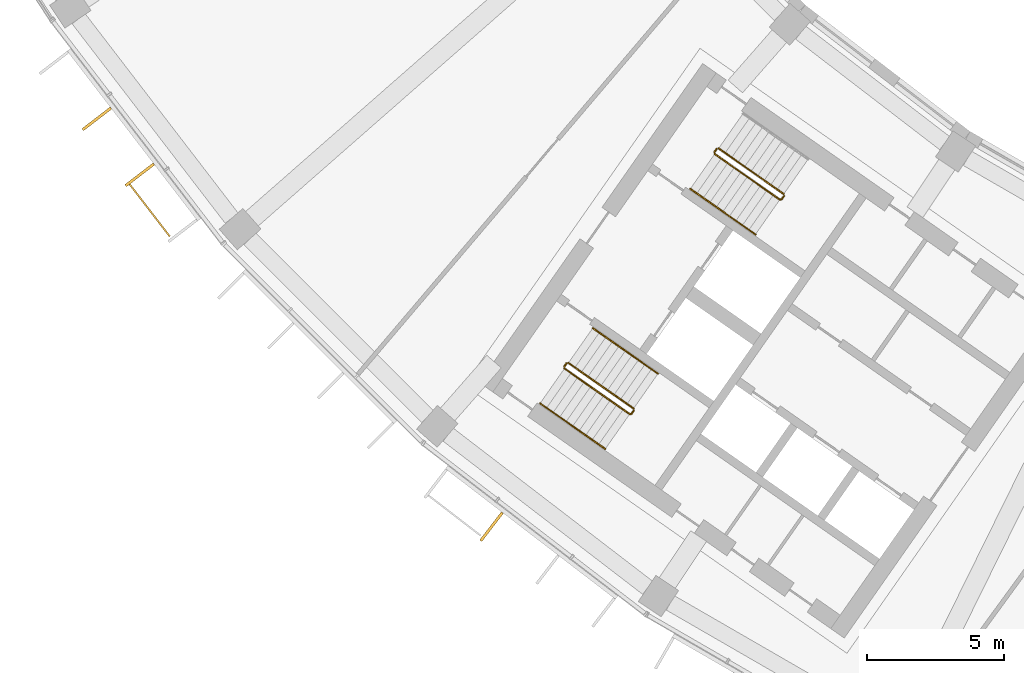
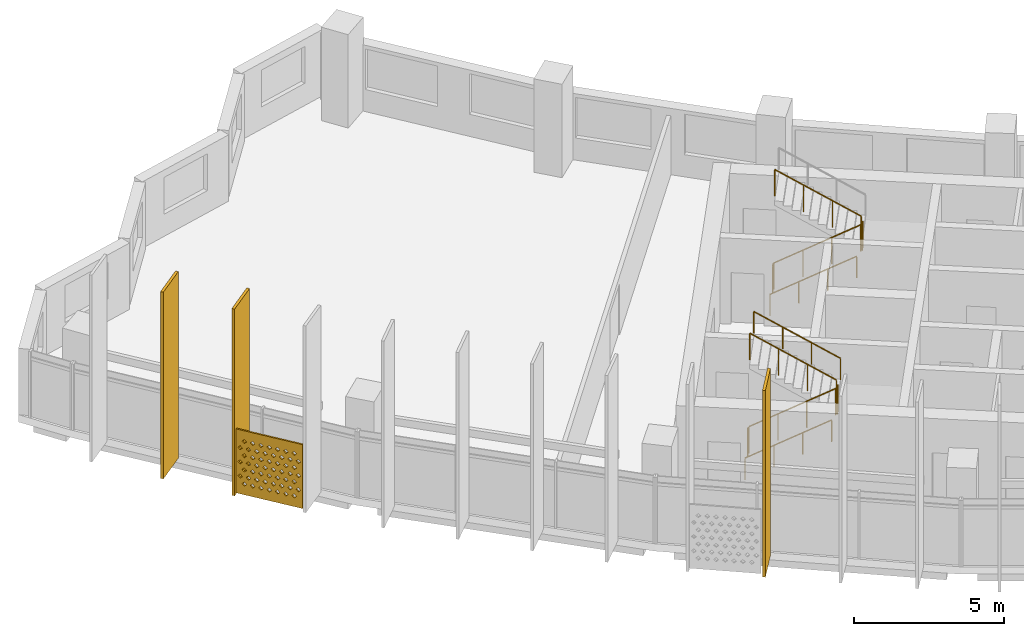
# One storey, part 23 of 27: 9 railings, 4 shading devices.
"""IFC4 building model written with IfcOpenShell, lengths in metres."""

from ifc_helpers import new_model, si_unit, direction, frame, origin, origin_2d, place, context, subcontext, project, spatial, polyline, rectangle, circle, outline, extrude, material, material_profile, profile_set, type_object, element, save


model = new_model("IFC4")

# Units and contexts
model_context = context("Model", 3, precision=1e-05, world=origin(), true_north=direction((0.0, 1.0)))
body_context = subcontext(model_context, "Body", "Model", "MODEL_VIEW")
ifc_project = project(units=[si_unit("LENGTHUNIT", "METRE"), si_unit("AREAUNIT", "SQUARE_METRE"), si_unit("VOLUMEUNIT", "CUBIC_METRE"), si_unit("PLANEANGLEUNIT", "RADIAN"), si_unit("MASSUNIT", "GRAM", prefix="KILO")], contexts=[model_context])

# Site, building, storey
site_placement = place(None, origin())
site = spatial("IfcSite", under=ifc_project, at=site_placement, CompositionType="ELEMENT")
building_placement = place(site_placement, origin())
building = spatial("IfcBuilding", under=site, at=building_placement, Name="Qamariyya Broadcast Tower", CompositionType="ELEMENT")
storey_placement = place(building_placement, frame((0.0, 0.0, 211.300048828125)))
storey = spatial("IfcBuildingStorey", under=building, at=storey_placement, Name="L50", CompositionType="ELEMENT", Elevation=211.300048828125)

# Shading device
ifc_material_1 = material(Name="Perforated glazed terracotta", Category="masonry")
ifc_material_profile_1 = material_profile(ifc_material_1, outline(polyline([(-1.199951171875, -1.300048828125), (1.199951171875, -1.300048828125), (1.199951171875, 1.300048828125), (-1.199951171875, 1.300048828125), (-1.199951171875, -1.300048828125)]), holes=[polyline([(-0.81494140625, -0.86669921875), (-0.89990234375, -0.78173828125), (-0.985107421875, -0.86669921875), (-0.89990234375, -0.95166015625), (-0.81494140625, -0.86669921875)]), polyline([(-0.514892578125, -0.86669921875), (-0.60009765625, -0.78173828125), (-0.68505859375, -0.86669921875), (-0.60009765625, -0.95166015625), (-0.514892578125, -0.86669921875)]), polyline([(-0.215087890625, -0.86669921875), (-0.300048828125, -0.78173828125), (-0.385009765625, -0.86669921875), (-0.300048828125, -0.95166015625), (-0.215087890625, -0.86669921875)]), polyline([(0.0849609375, -0.86669921875), (0.0, -0.78173828125), (-0.0849609375, -0.86669921875), (0.0, -0.95166015625), (0.0849609375, -0.86669921875)]), polyline([(0.385009765625, -0.86669921875), (0.300048828125, -0.78173828125), (0.215087890625, -0.86669921875), (0.300048828125, -0.95166015625), (0.385009765625, -0.86669921875)]), polyline([(0.68505859375, -0.86669921875), (0.60009765625, -0.78173828125), (0.514892578125, -0.86669921875), (0.60009765625, -0.95166015625), (0.68505859375, -0.86669921875)]), polyline([(0.985107421875, -0.86669921875), (0.89990234375, -0.78173828125), (0.81494140625, -0.86669921875), (0.89990234375, -0.95166015625), (0.985107421875, -0.86669921875)]), polyline([(-0.965087890625, -0.577880859375), (-1.050048828125, -0.49267578125), (-1.135009765625, -0.577880859375), (-1.050048828125, -0.662841796875), (-0.965087890625, -0.577880859375)]), polyline([(-0.6650390625, -0.577880859375), (-0.75, -0.49267578125), (-0.8349609375, -0.577880859375), (-0.75, -0.662841796875), (-0.6650390625, -0.577880859375)]), polyline([(-0.364990234375, -0.577880859375), (-0.449951171875, -0.49267578125), (-0.534912109375, -0.577880859375), (-0.449951171875, -0.662841796875), (-0.364990234375, -0.577880859375)]), polyline([(-0.06494140625, -0.577880859375), (-0.14990234375, -0.49267578125), (-0.235107421875, -0.577880859375), (-0.14990234375, -0.662841796875), (-0.06494140625, -0.577880859375)]), polyline([(0.235107421875, -0.577880859375), (0.14990234375, -0.49267578125), (0.06494140625, -0.577880859375), (0.14990234375, -0.662841796875), (0.235107421875, -0.577880859375)]), polyline([(0.534912109375, -0.577880859375), (0.449951171875, -0.49267578125), (0.364990234375, -0.577880859375), (0.449951171875, -0.662841796875), (0.534912109375, -0.577880859375)]), polyline([(0.8349609375, -0.577880859375), (0.75, -0.49267578125), (0.6650390625, -0.577880859375), (0.75, -0.662841796875), (0.8349609375, -0.577880859375)]), polyline([(1.135009765625, -0.577880859375), (1.050048828125, -0.49267578125), (0.965087890625, -0.577880859375), (1.050048828125, -0.662841796875), (1.135009765625, -0.577880859375)]), polyline([(-0.81494140625, -0.288818359375), (-0.89990234375, -0.203857421875), (-0.985107421875, -0.288818359375), (-0.89990234375, -0.373779296875), (-0.81494140625, -0.288818359375)]), polyline([(-0.514892578125, -0.288818359375), (-0.60009765625, -0.203857421875), (-0.68505859375, -0.288818359375), (-0.60009765625, -0.373779296875), (-0.514892578125, -0.288818359375)]), polyline([(-0.215087890625, -0.288818359375), (-0.300048828125, -0.203857421875), (-0.385009765625, -0.288818359375), (-0.300048828125, -0.373779296875), (-0.215087890625, -0.288818359375)]), polyline([(0.0849609375, -0.288818359375), (0.0, -0.203857421875), (-0.0849609375, -0.288818359375), (0.0, -0.373779296875), (0.0849609375, -0.288818359375)]), polyline([(0.385009765625, -0.288818359375), (0.300048828125, -0.203857421875), (0.215087890625, -0.288818359375), (0.300048828125, -0.373779296875), (0.385009765625, -0.288818359375)]), polyline([(0.68505859375, -0.288818359375), (0.60009765625, -0.203857421875), (0.514892578125, -0.288818359375), (0.60009765625, -0.373779296875), (0.68505859375, -0.288818359375)]), polyline([(0.985107421875, -0.288818359375), (0.89990234375, -0.203857421875), (0.81494140625, -0.288818359375), (0.89990234375, -0.373779296875), (0.985107421875, -0.288818359375)]), polyline([(-0.965087890625, 0.0), (-1.050048828125, 0.0849609375), (-1.135009765625, 0.0), (-1.050048828125, -0.0849609375), (-0.965087890625, 0.0)]), polyline([(-0.6650390625, 0.0), (-0.75, 0.0849609375), (-0.8349609375, 0.0), (-0.75, -0.0849609375), (-0.6650390625, 0.0)]), polyline([(-0.364990234375, 0.0), (-0.449951171875, 0.0849609375), (-0.534912109375, 0.0), (-0.449951171875, -0.0849609375), (-0.364990234375, 0.0)]), polyline([(-0.06494140625, 0.0), (-0.14990234375, 0.0849609375), (-0.235107421875, 0.0), (-0.14990234375, -0.0849609375), (-0.06494140625, 0.0)]), polyline([(0.235107421875, 0.0), (0.14990234375, 0.0849609375), (0.06494140625, 0.0), (0.14990234375, -0.0849609375), (0.235107421875, 0.0)]), polyline([(0.534912109375, 0.0), (0.449951171875, 0.0849609375), (0.364990234375, 0.0), (0.449951171875, -0.0849609375), (0.534912109375, 0.0)]), polyline([(0.8349609375, 0.0), (0.75, 0.0849609375), (0.6650390625, 0.0), (0.75, -0.0849609375), (0.8349609375, 0.0)]), polyline([(1.135009765625, 0.0), (1.050048828125, 0.0849609375), (0.965087890625, 0.0), (1.050048828125, -0.0849609375), (1.135009765625, 0.0)]), polyline([(-0.81494140625, 0.288818359375), (-0.89990234375, 0.373779296875), (-0.985107421875, 0.288818359375), (-0.89990234375, 0.203857421875), (-0.81494140625, 0.288818359375)]), polyline([(-0.514892578125, 0.288818359375), (-0.60009765625, 0.373779296875), (-0.68505859375, 0.288818359375), (-0.60009765625, 0.203857421875), (-0.514892578125, 0.288818359375)]), polyline([(-0.215087890625, 0.288818359375), (-0.300048828125, 0.373779296875), (-0.385009765625, 0.288818359375), (-0.300048828125, 0.203857421875), (-0.215087890625, 0.288818359375)]), polyline([(0.0849609375, 0.288818359375), (0.0, 0.373779296875), (-0.0849609375, 0.288818359375), (0.0, 0.203857421875), (0.0849609375, 0.288818359375)]), polyline([(0.385009765625, 0.288818359375), (0.300048828125, 0.373779296875), (0.215087890625, 0.288818359375), (0.300048828125, 0.203857421875), (0.385009765625, 0.288818359375)]), polyline([(0.68505859375, 0.288818359375), (0.60009765625, 0.373779296875), (0.514892578125, 0.288818359375), (0.60009765625, 0.203857421875), (0.68505859375, 0.288818359375)]), polyline([(0.985107421875, 0.288818359375), (0.89990234375, 0.373779296875), (0.81494140625, 0.288818359375), (0.89990234375, 0.203857421875), (0.985107421875, 0.288818359375)]), polyline([(-0.965087890625, 0.577880859375), (-1.050048828125, 0.662841796875), (-1.135009765625, 0.577880859375), (-1.050048828125, 0.49267578125), (-0.965087890625, 0.577880859375)]), polyline([(-0.6650390625, 0.577880859375), (-0.75, 0.662841796875), (-0.8349609375, 0.577880859375), (-0.75, 0.49267578125), (-0.6650390625, 0.577880859375)]), polyline([(-0.364990234375, 0.577880859375), (-0.449951171875, 0.662841796875), (-0.534912109375, 0.577880859375), (-0.449951171875, 0.49267578125), (-0.364990234375, 0.577880859375)]), polyline([(-0.06494140625, 0.577880859375), (-0.14990234375, 0.662841796875), (-0.235107421875, 0.577880859375), (-0.14990234375, 0.49267578125), (-0.06494140625, 0.577880859375)]), polyline([(0.235107421875, 0.577880859375), (0.14990234375, 0.662841796875), (0.06494140625, 0.577880859375), (0.14990234375, 0.49267578125), (0.235107421875, 0.577880859375)]), polyline([(0.534912109375, 0.577880859375), (0.449951171875, 0.662841796875), (0.364990234375, 0.577880859375), (0.449951171875, 0.49267578125), (0.534912109375, 0.577880859375)]), polyline([(0.8349609375, 0.577880859375), (0.75, 0.662841796875), (0.6650390625, 0.577880859375), (0.75, 0.49267578125), (0.8349609375, 0.577880859375)]), polyline([(1.135009765625, 0.577880859375), (1.050048828125, 0.662841796875), (0.965087890625, 0.577880859375), (1.050048828125, 0.49267578125), (1.135009765625, 0.577880859375)]), polyline([(-0.81494140625, 0.86669921875), (-0.89990234375, 0.95166015625), (-0.985107421875, 0.86669921875), (-0.89990234375, 0.78173828125), (-0.81494140625, 0.86669921875)]), polyline([(-0.514892578125, 0.86669921875), (-0.60009765625, 0.95166015625), (-0.68505859375, 0.86669921875), (-0.60009765625, 0.78173828125), (-0.514892578125, 0.86669921875)]), polyline([(-0.215087890625, 0.86669921875), (-0.300048828125, 0.95166015625), (-0.385009765625, 0.86669921875), (-0.300048828125, 0.78173828125), (-0.215087890625, 0.86669921875)]), polyline([(0.0849609375, 0.86669921875), (0.0, 0.95166015625), (-0.0849609375, 0.86669921875), (0.0, 0.78173828125), (0.0849609375, 0.86669921875)]), polyline([(0.385009765625, 0.86669921875), (0.300048828125, 0.95166015625), (0.215087890625, 0.86669921875), (0.300048828125, 0.78173828125), (0.385009765625, 0.86669921875)]), polyline([(0.68505859375, 0.86669921875), (0.60009765625, 0.95166015625), (0.514892578125, 0.86669921875), (0.60009765625, 0.78173828125), (0.68505859375, 0.86669921875)]), polyline([(0.985107421875, 0.86669921875), (0.89990234375, 0.95166015625), (0.81494140625, 0.86669921875), (0.89990234375, 0.78173828125), (0.985107421875, 0.86669921875)])]))
ifc_profile_set_1 = profile_set([ifc_material_profile_1], Name="Perforated glazed terracotta")
shading_device_type_1 = type_object("IfcShadingDeviceType", Name="Perforated terracotta screen 2400 x 2600", PredefinedType="USERDEFINED", material=ifc_profile_set_1)
shading_device_placement = place(storey_placement, frame((-61.727294921875, -50.5615234375, 1.349853515625), z_axis=(-0.792623989105, -0.60971076085, 0.0), x_axis=(0.60971076085, -0.792623989105, 0.0)))
element("IfcShadingDevice", 1, at=shading_device_placement, inside=storey, type_object=shading_device_type_1, Name="e-scr-L50-01-2", ObjectType="SCREEN", PredefinedType="USERDEFINED", context=body_context, shape_type="SweptSolid", body=[
    extrude(outline(polyline([(-1.199951171875, -1.300048828125), (1.199951171875, -1.300048828125), (1.199951171875, 1.300048828125), (-1.199951171875, 1.300048828125), (-1.199951171875, -1.300048828125)]), holes=[polyline([(-0.81494140625, -0.86669921875), (-0.89990234375, -0.78173828125), (-0.985107421875, -0.86669921875), (-0.89990234375, -0.95166015625), (-0.81494140625, -0.86669921875)]), polyline([(-0.514892578125, -0.86669921875), (-0.60009765625, -0.78173828125), (-0.68505859375, -0.86669921875), (-0.60009765625, -0.95166015625), (-0.514892578125, -0.86669921875)]), polyline([(-0.215087890625, -0.86669921875), (-0.300048828125, -0.78173828125), (-0.385009765625, -0.86669921875), (-0.300048828125, -0.95166015625), (-0.215087890625, -0.86669921875)]), polyline([(0.0849609375, -0.86669921875), (0.0, -0.78173828125), (-0.0849609375, -0.86669921875), (0.0, -0.95166015625), (0.0849609375, -0.86669921875)]), polyline([(0.385009765625, -0.86669921875), (0.300048828125, -0.78173828125), (0.215087890625, -0.86669921875), (0.300048828125, -0.95166015625), (0.385009765625, -0.86669921875)]), polyline([(0.68505859375, -0.86669921875), (0.60009765625, -0.78173828125), (0.514892578125, -0.86669921875), (0.60009765625, -0.95166015625), (0.68505859375, -0.86669921875)]), polyline([(0.985107421875, -0.86669921875), (0.89990234375, -0.78173828125), (0.81494140625, -0.86669921875), (0.89990234375, -0.95166015625), (0.985107421875, -0.86669921875)]), polyline([(-0.965087890625, -0.577880859375), (-1.050048828125, -0.49267578125), (-1.135009765625, -0.577880859375), (-1.050048828125, -0.662841796875), (-0.965087890625, -0.577880859375)]), polyline([(-0.6650390625, -0.577880859375), (-0.75, -0.49267578125), (-0.8349609375, -0.577880859375), (-0.75, -0.662841796875), (-0.6650390625, -0.577880859375)]), polyline([(-0.364990234375, -0.577880859375), (-0.449951171875, -0.49267578125), (-0.534912109375, -0.577880859375), (-0.449951171875, -0.662841796875), (-0.364990234375, -0.577880859375)]), polyline([(-0.06494140625, -0.577880859375), (-0.14990234375, -0.49267578125), (-0.235107421875, -0.577880859375), (-0.14990234375, -0.662841796875), (-0.06494140625, -0.577880859375)]), polyline([(0.235107421875, -0.577880859375), (0.14990234375, -0.49267578125), (0.06494140625, -0.577880859375), (0.14990234375, -0.662841796875), (0.235107421875, -0.577880859375)]), polyline([(0.534912109375, -0.577880859375), (0.449951171875, -0.49267578125), (0.364990234375, -0.577880859375), (0.449951171875, -0.662841796875), (0.534912109375, -0.577880859375)]), polyline([(0.8349609375, -0.577880859375), (0.75, -0.49267578125), (0.6650390625, -0.577880859375), (0.75, -0.662841796875), (0.8349609375, -0.577880859375)]), polyline([(1.135009765625, -0.577880859375), (1.050048828125, -0.49267578125), (0.965087890625, -0.577880859375), (1.050048828125, -0.662841796875), (1.135009765625, -0.577880859375)]), polyline([(-0.81494140625, -0.288818359375), (-0.89990234375, -0.203857421875), (-0.985107421875, -0.288818359375), (-0.89990234375, -0.373779296875), (-0.81494140625, -0.288818359375)]), polyline([(-0.514892578125, -0.288818359375), (-0.60009765625, -0.203857421875), (-0.68505859375, -0.288818359375), (-0.60009765625, -0.373779296875), (-0.514892578125, -0.288818359375)]), polyline([(-0.215087890625, -0.288818359375), (-0.300048828125, -0.203857421875), (-0.385009765625, -0.288818359375), (-0.300048828125, -0.373779296875), (-0.215087890625, -0.288818359375)]), polyline([(0.0849609375, -0.288818359375), (0.0, -0.203857421875), (-0.0849609375, -0.288818359375), (0.0, -0.373779296875), (0.0849609375, -0.288818359375)]), polyline([(0.385009765625, -0.288818359375), (0.300048828125, -0.203857421875), (0.215087890625, -0.288818359375), (0.300048828125, -0.373779296875), (0.385009765625, -0.288818359375)]), polyline([(0.68505859375, -0.288818359375), (0.60009765625, -0.203857421875), (0.514892578125, -0.288818359375), (0.60009765625, -0.373779296875), (0.68505859375, -0.288818359375)]), polyline([(0.985107421875, -0.288818359375), (0.89990234375, -0.203857421875), (0.81494140625, -0.288818359375), (0.89990234375, -0.373779296875), (0.985107421875, -0.288818359375)]), polyline([(-0.965087890625, 0.0), (-1.050048828125, 0.0849609375), (-1.135009765625, 0.0), (-1.050048828125, -0.0849609375), (-0.965087890625, 0.0)]), polyline([(-0.6650390625, 0.0), (-0.75, 0.0849609375), (-0.8349609375, 0.0), (-0.75, -0.0849609375), (-0.6650390625, 0.0)]), polyline([(-0.364990234375, 0.0), (-0.449951171875, 0.0849609375), (-0.534912109375, 0.0), (-0.449951171875, -0.0849609375), (-0.364990234375, 0.0)]), polyline([(-0.06494140625, 0.0), (-0.14990234375, 0.0849609375), (-0.235107421875, 0.0), (-0.14990234375, -0.0849609375), (-0.06494140625, 0.0)]), polyline([(0.235107421875, 0.0), (0.14990234375, 0.0849609375), (0.06494140625, 0.0), (0.14990234375, -0.0849609375), (0.235107421875, 0.0)]), polyline([(0.534912109375, 0.0), (0.449951171875, 0.0849609375), (0.364990234375, 0.0), (0.449951171875, -0.0849609375), (0.534912109375, 0.0)]), polyline([(0.8349609375, 0.0), (0.75, 0.0849609375), (0.6650390625, 0.0), (0.75, -0.0849609375), (0.8349609375, 0.0)]), polyline([(1.135009765625, 0.0), (1.050048828125, 0.0849609375), (0.965087890625, 0.0), (1.050048828125, -0.0849609375), (1.135009765625, 0.0)]), polyline([(-0.81494140625, 0.288818359375), (-0.89990234375, 0.373779296875), (-0.985107421875, 0.288818359375), (-0.89990234375, 0.203857421875), (-0.81494140625, 0.288818359375)]), polyline([(-0.514892578125, 0.288818359375), (-0.60009765625, 0.373779296875), (-0.68505859375, 0.288818359375), (-0.60009765625, 0.203857421875), (-0.514892578125, 0.288818359375)]), polyline([(-0.215087890625, 0.288818359375), (-0.300048828125, 0.373779296875), (-0.385009765625, 0.288818359375), (-0.300048828125, 0.203857421875), (-0.215087890625, 0.288818359375)]), polyline([(0.0849609375, 0.288818359375), (0.0, 0.373779296875), (-0.0849609375, 0.288818359375), (0.0, 0.203857421875), (0.0849609375, 0.288818359375)]), polyline([(0.385009765625, 0.288818359375), (0.300048828125, 0.373779296875), (0.215087890625, 0.288818359375), (0.300048828125, 0.203857421875), (0.385009765625, 0.288818359375)]), polyline([(0.68505859375, 0.288818359375), (0.60009765625, 0.373779296875), (0.514892578125, 0.288818359375), (0.60009765625, 0.203857421875), (0.68505859375, 0.288818359375)]), polyline([(0.985107421875, 0.288818359375), (0.89990234375, 0.373779296875), (0.81494140625, 0.288818359375), (0.89990234375, 0.203857421875), (0.985107421875, 0.288818359375)]), polyline([(-0.965087890625, 0.577880859375), (-1.050048828125, 0.662841796875), (-1.135009765625, 0.577880859375), (-1.050048828125, 0.49267578125), (-0.965087890625, 0.577880859375)]), polyline([(-0.6650390625, 0.577880859375), (-0.75, 0.662841796875), (-0.8349609375, 0.577880859375), (-0.75, 0.49267578125), (-0.6650390625, 0.577880859375)]), polyline([(-0.364990234375, 0.577880859375), (-0.449951171875, 0.662841796875), (-0.534912109375, 0.577880859375), (-0.449951171875, 0.49267578125), (-0.364990234375, 0.577880859375)]), polyline([(-0.06494140625, 0.577880859375), (-0.14990234375, 0.662841796875), (-0.235107421875, 0.577880859375), (-0.14990234375, 0.49267578125), (-0.06494140625, 0.577880859375)]), polyline([(0.235107421875, 0.577880859375), (0.14990234375, 0.662841796875), (0.06494140625, 0.577880859375), (0.14990234375, 0.49267578125), (0.235107421875, 0.577880859375)]), polyline([(0.534912109375, 0.577880859375), (0.449951171875, 0.662841796875), (0.364990234375, 0.577880859375), (0.449951171875, 0.49267578125), (0.534912109375, 0.577880859375)]), polyline([(0.8349609375, 0.577880859375), (0.75, 0.662841796875), (0.6650390625, 0.577880859375), (0.75, 0.49267578125), (0.8349609375, 0.577880859375)]), polyline([(1.135009765625, 0.577880859375), (1.050048828125, 0.662841796875), (0.965087890625, 0.577880859375), (1.050048828125, 0.49267578125), (1.135009765625, 0.577880859375)]), polyline([(-0.81494140625, 0.86669921875), (-0.89990234375, 0.95166015625), (-0.985107421875, 0.86669921875), (-0.89990234375, 0.78173828125), (-0.81494140625, 0.86669921875)]), polyline([(-0.514892578125, 0.86669921875), (-0.60009765625, 0.95166015625), (-0.68505859375, 0.86669921875), (-0.60009765625, 0.78173828125), (-0.514892578125, 0.86669921875)]), polyline([(-0.215087890625, 0.86669921875), (-0.300048828125, 0.95166015625), (-0.385009765625, 0.86669921875), (-0.300048828125, 0.78173828125), (-0.215087890625, 0.86669921875)]), polyline([(0.0849609375, 0.86669921875), (0.0, 0.95166015625), (-0.0849609375, 0.86669921875), (0.0, 0.78173828125), (0.0849609375, 0.86669921875)]), polyline([(0.385009765625, 0.86669921875), (0.300048828125, 0.95166015625), (0.215087890625, 0.86669921875), (0.300048828125, 0.78173828125), (0.385009765625, 0.86669921875)]), polyline([(0.68505859375, 0.86669921875), (0.60009765625, 0.95166015625), (0.514892578125, 0.86669921875), (0.60009765625, 0.78173828125), (0.68505859375, 0.86669921875)]), polyline([(0.985107421875, 0.86669921875), (0.89990234375, 0.95166015625), (0.81494140625, 0.86669921875), (0.89990234375, 0.78173828125), (0.985107421875, 0.86669921875)])]), origin(), (0.0, 0.0, 1.0), 0.06005859375),
])

# Railings
ifc_material_2 = material(Name="Painted steel", Category="steel")
railing_type_1 = type_object("IfcRailingType", Name="Stair guard", PredefinedType="GUARDRAIL", material=ifc_material_2)
railing_1_placement = place(storey_placement, frame((-41.146728515625, -48.52490234375, 0.172607421875)))
element("IfcRailing", 2, at=railing_1_placement, inside=storey, type_object=railing_type_1, Name="L50 ST-W2 stair guard 1", PredefinedType="GUARDRAIL", context=body_context, shape_type="SweptSolid", body=[
    extrude(circle(Radius=0.02392578125, at=origin_2d()), frame((0.0, 0.0, 1.076171875), z_axis=(0.703770094002, -0.492783725636, 0.511734163933), x_axis=(0.573575343427, 0.819152809562, 0.0)), (0.0, 0.0, 1.0), 3.37548828125),
    extrude(circle(Radius=0.02392578125, at=origin_2d()), frame((2.37548828125, -1.663330078125, 2.80322265625), z_axis=(0.985059694769, 0.172213233351, 0.0), x_axis=(-0.172213233351, 0.985059694769, 0.0)), (0.0, 0.0, 1.0), 0.07080078125),
    extrude(circle(Radius=0.02392578125, at=origin_2d()), frame((2.4453125, -1.651123046875, 2.80322265625), z_axis=(0.572588637393, 0.819842821722, 0.0), x_axis=(-0.819842821722, 0.572588637393, 0.0)), (0.0, 0.0, 1.0), 0.150146484375),
    extrude(circle(Radius=0.02099609375, at=origin_2d()), origin(), (0.0, 0.0, 1.0), 1.052001953125),
    extrude(circle(Radius=0.02099609375, at=origin_2d()), frame((0.791748046875, -0.554443359375, 0.57568359375)), (0.0, 0.0, 1.0), 1.052001953125),
    extrude(circle(Radius=0.02099609375, at=origin_2d()), frame((1.583740234375, -1.10888671875, 1.151611328125)), (0.0, 0.0, 1.0), 1.052001953125),
    extrude(circle(Radius=0.02099609375, at=origin_2d()), frame((2.37548828125, -1.663330078125, 1.727294921875)), (0.0, 0.0, 1.0), 1.052001953125),
    extrude(circle(Radius=0.02099609375, at=origin_2d()), frame((2.4453125, -1.651123046875, 1.727294921875)), (0.0, 0.0, 1.0), 1.052001953125),
    extrude(circle(Radius=0.02099609375, at=origin_2d()), frame((2.53125, -1.528076171875, 1.727294921875)), (0.0, 0.0, 1.0), 1.052001953125),
])
railing_2_placement = place(storey_placement, frame((-38.627685546875, -49.9833984375, 2.07275390625)))
element("IfcRailing", 3, at=railing_2_placement, inside=storey, type_object=railing_type_1, Name="L50 ST-W2 stair guard 2", PredefinedType="GUARDRAIL", context=body_context, shape_type="SweptSolid", body=[
    extrude(circle(Radius=0.02392578125, at=origin_2d()), frame((0.0, 0.0, 1.076171875), z_axis=(-0.703770094002, 0.492783725636, 0.511734163933), x_axis=(-0.573575343427, -0.819152809562, 0.0)), (0.0, 0.0, 1.0), 3.37548828125),
    extrude(circle(Radius=0.02099609375, at=origin_2d()), origin(), (0.0, 0.0, 1.0), 1.052001953125),
    extrude(circle(Radius=0.02099609375, at=origin_2d()), frame((-0.791748046875, 0.554443359375, 0.57568359375)), (0.0, 0.0, 1.0), 1.052001953125),
    extrude(circle(Radius=0.02099609375, at=origin_2d()), frame((-1.583740234375, 1.10888671875, 1.151611328125)), (0.0, 0.0, 1.0), 1.052001953125),
    extrude(circle(Radius=0.02099609375, at=origin_2d()), frame((-2.37548828125, 1.663330078125, 1.727294921875)), (0.0, 0.0, 1.0), 1.052001953125),
])
railing_3_placement = place(storey_placement, frame((-41.158935546875, -48.455322265625, 0.0)))
element("IfcRailing", 4, at=railing_3_placement, inside=storey, type_object=railing_type_1, Name="L50 ST-W2 stair guard 3", PredefinedType="GUARDRAIL", context=body_context, shape_type="SweptSolid", body=[
    extrude(circle(Radius=0.02392578125, at=origin_2d()), frame((0.0, 0.0, 1.076171875), z_axis=(0.572588637393, 0.819842821722, 0.0), x_axis=(-0.819842821722, 0.572588637393, 0.0)), (0.0, 0.0, 1.0), 0.150146484375),
    extrude(circle(Radius=0.02099609375, at=origin_2d()), origin(), (0.0, 0.0, 1.0), 1.052001953125),
    extrude(circle(Radius=0.02099609375, at=origin_2d()), frame((0.0859375, 0.123046875, 0.0)), (0.0, 0.0, 1.0), 1.052001953125),
])
railing_4_placement = place(storey_placement, frame((-46.624267578125, -56.34765625, 0.172607421875)))
element("IfcRailing", 5, at=railing_4_placement, inside=storey, type_object=railing_type_1, Name="L50 ST-W1 stair guard 1", PredefinedType="GUARDRAIL", context=body_context, shape_type="SweptSolid", body=[
    extrude(circle(Radius=0.02392578125, at=origin_2d()), frame((0.0, 0.0, 1.076171875), z_axis=(0.703745009021, -0.492838488332, 0.511715923826), x_axis=(0.573631830683, 0.819113253969, 0.0)), (0.0, 0.0, 1.0), 3.37548828125),
    extrude(circle(Radius=0.02392578125, at=origin_2d()), frame((2.37548828125, -1.66357421875, 2.80322265625), z_axis=(0.984363469884, 0.176149252506, 0.0), x_axis=(-0.176149252506, 0.984363469884, 0.0)), (0.0, 0.0, 1.0), 0.07080078125),
    extrude(circle(Radius=0.02392578125, at=origin_2d()), frame((2.445068359375, -1.651123046875, 2.80322265625), z_axis=(0.574444878118, 0.818543268254, 0.0), x_axis=(-0.818543268254, 0.574444878118, 0.0)), (0.0, 0.0, 1.0), 0.150146484375),
    extrude(circle(Radius=0.02099609375, at=origin_2d()), origin(), (0.0, 0.0, 1.0), 1.052001953125),
    extrude(circle(Radius=0.02099609375, at=origin_2d()), frame((0.791748046875, -0.554443359375, 0.57568359375)), (0.0, 0.0, 1.0), 1.052001953125),
    extrude(circle(Radius=0.02099609375, at=origin_2d()), frame((1.583740234375, -1.109130859375, 1.151611328125)), (0.0, 0.0, 1.0), 1.052001953125),
    extrude(circle(Radius=0.02099609375, at=origin_2d()), frame((2.37548828125, -1.66357421875, 1.727294921875)), (0.0, 0.0, 1.0), 1.052001953125),
    extrude(circle(Radius=0.02099609375, at=origin_2d()), frame((2.445068359375, -1.651123046875, 1.727294921875)), (0.0, 0.0, 1.0), 1.052001953125),
    extrude(circle(Radius=0.02099609375, at=origin_2d()), frame((2.53125, -1.5283203125, 1.727294921875)), (0.0, 0.0, 1.0), 1.052001953125),
])
railing_5_placement = place(storey_placement, frame((-44.10546875, -57.806396484375, 2.07275390625)))
element("IfcRailing", 6, at=railing_5_placement, inside=storey, type_object=railing_type_1, Name="L50 ST-W1 stair guard 2", PredefinedType="GUARDRAIL", context=body_context, shape_type="SweptSolid", body=[
    extrude(circle(Radius=0.02392578125, at=origin_2d()), frame((0.0, 0.0, 1.076171875), z_axis=(-0.703770094002, 0.492783725636, 0.511734163933), x_axis=(-0.573575343427, -0.819152809562, 0.0)), (0.0, 0.0, 1.0), 3.37548828125),
    extrude(circle(Radius=0.02099609375, at=origin_2d()), origin(), (0.0, 0.0, 1.0), 1.052001953125),
    extrude(circle(Radius=0.02099609375, at=origin_2d()), frame((-0.791748046875, 0.554443359375, 0.57568359375)), (0.0, 0.0, 1.0), 1.052001953125),
    extrude(circle(Radius=0.02099609375, at=origin_2d()), frame((-1.583740234375, 1.10888671875, 1.151611328125)), (0.0, 0.0, 1.0), 1.052001953125),
    extrude(circle(Radius=0.02099609375, at=origin_2d()), frame((-2.37548828125, 1.663330078125, 1.727294921875)), (0.0, 0.0, 1.0), 1.052001953125),
])
railing_6_placement = place(storey_placement, frame((-46.63671875, -56.278076171875, 0.0)))
element("IfcRailing", 7, at=railing_6_placement, inside=storey, type_object=railing_type_1, Name="L50 ST-W1 stair guard 3", PredefinedType="GUARDRAIL", context=body_context, shape_type="SweptSolid", body=[
    extrude(circle(Radius=0.02392578125, at=origin_2d()), frame((0.0, 0.0, 1.076171875), z_axis=(0.574444878118, 0.818543268254, 0.0), x_axis=(-0.818543268254, 0.574444878118, 0.0)), (0.0, 0.0, 1.0), 0.150146484375),
    extrude(circle(Radius=0.02099609375, at=origin_2d()), origin(), (0.0, 0.0, 1.0), 1.052001953125),
    extrude(circle(Radius=0.02099609375, at=origin_2d()), frame((0.086181640625, 0.122802734375, 0.0)), (0.0, 0.0, 1.0), 1.052001953125),
])
ifc_material_3 = material(Name="Stainless steel", Category="steel")
railing_type_2 = type_object("IfcRailingType", Name="Stair handrail", PredefinedType="HANDRAIL", material=ifc_material_3)
railing_7_placement = place(storey_placement, frame((-42.03564453125, -49.79443359375, 0.172607421875)))
element("IfcRailing", 8, at=railing_7_placement, inside=storey, type_object=railing_type_2, Name="L50 ST-W2 stair handrail 1", PredefinedType="HANDRAIL", context=body_context, shape_type="SweptSolid", body=[
    extrude(circle(Radius=0.02392578125, at=origin_2d()), frame((0.0, 0.0, 0.8759765625), z_axis=(0.703745009021, -0.492838488332, 0.511715923826), x_axis=(0.573631830683, 0.819113253969, 0.0)), (0.0, 0.0, 1.0), 3.37548828125),
    extrude(circle(Radius=0.02099609375, at=origin_2d()), origin(), (0.0, 0.0, 1.0), 0.851806640625),
    extrude(circle(Radius=0.02099609375, at=origin_2d()), frame((0.791748046875, -0.554443359375, 0.57568359375)), (0.0, 0.0, 1.0), 0.851806640625),
    extrude(circle(Radius=0.02099609375, at=origin_2d()), frame((1.583740234375, -1.109130859375, 1.151611328125)), (0.0, 0.0, 1.0), 0.851806640625),
    extrude(circle(Radius=0.02099609375, at=origin_2d()), frame((2.37548828125, -1.66357421875, 1.727294921875)), (0.0, 0.0, 1.0), 0.851806640625),
])
railing_8_placement = place(storey_placement, frame((-47.513427734375, -57.617431640625, 0.172607421875)))
element("IfcRailing", 9, at=railing_8_placement, inside=storey, type_object=railing_type_2, Name="L50 ST-W1 stair handrail 1", PredefinedType="HANDRAIL", context=body_context, shape_type="SweptSolid", body=[
    extrude(circle(Radius=0.02392578125, at=origin_2d()), frame((0.0, 0.0, 0.8759765625), z_axis=(0.703770094002, -0.492783725636, 0.511734163933), x_axis=(0.573575343427, 0.819152809562, 0.0)), (0.0, 0.0, 1.0), 3.37548828125),
    extrude(circle(Radius=0.02099609375, at=origin_2d()), origin(), (0.0, 0.0, 1.0), 0.851806640625),
    extrude(circle(Radius=0.02099609375, at=origin_2d()), frame((0.791748046875, -0.554443359375, 0.57568359375)), (0.0, 0.0, 1.0), 0.851806640625),
    extrude(circle(Radius=0.02099609375, at=origin_2d()), frame((1.583740234375, -1.10888671875, 1.151611328125)), (0.0, 0.0, 1.0), 0.851806640625),
    extrude(circle(Radius=0.02099609375, at=origin_2d()), frame((2.37548828125, -1.663330078125, 1.727294921875)), (0.0, 0.0, 1.0), 0.851806640625),
])
railing_9_placement = place(storey_placement, frame((-43.21630859375, -56.53662109375, 2.07275390625)))
element("IfcRailing", 10, at=railing_9_placement, inside=storey, type_object=railing_type_2, Name="L50 ST-W1 stair handrail 2", PredefinedType="HANDRAIL", context=body_context, shape_type="SweptSolid", body=[
    extrude(circle(Radius=0.02392578125, at=origin_2d()), frame((0.0, 0.0, 0.8759765625), z_axis=(-0.703770094002, 0.492783725636, 0.511734163933), x_axis=(-0.573575343427, -0.819152809562, 0.0)), (0.0, 0.0, 1.0), 3.37548828125),
    extrude(circle(Radius=0.02099609375, at=origin_2d()), origin(), (0.0, 0.0, 1.0), 0.851806640625),
    extrude(circle(Radius=0.02099609375, at=origin_2d()), frame((-0.791748046875, 0.554443359375, 0.57568359375)), (0.0, 0.0, 1.0), 0.851806640625),
    extrude(circle(Radius=0.02099609375, at=origin_2d()), frame((-1.583740234375, 1.10888671875, 1.151611328125)), (0.0, 0.0, 1.0), 0.851806640625),
    extrude(circle(Radius=0.02099609375, at=origin_2d()), frame((-2.37548828125, 1.663330078125, 1.727294921875)), (0.0, 0.0, 1.0), 0.851806640625),
])

# Shading devices
ifc_material_4 = material(Name="Glazed terracotta", Category="masonry")
ifc_material_profile_2 = material_profile(ifc_material_4, rectangle(XDim=1.300048828125, YDim=0.10009765625, at=origin_2d()))
ifc_profile_set_2 = profile_set([ifc_material_profile_2], Name="Glazed terracotta")
shading_device_type_2 = type_object("IfcShadingDeviceType", Name="Terracotta fin 100 x 1300", PredefinedType="USERDEFINED", material=ifc_profile_set_2)
for number, where, z_axis, x_axis, name in (
    (11, (-63.68115234375, -47.243408203125, 0.0), (0.0, 0.0, 1.0), (-0.793353340291, -0.608761429009, 0.0), "e-fin-L50-01-1"),
    (12, (-62.115478515625, -49.283935546875, 0.0), (0.0, 0.0, 1.0), (-0.793353340291, -0.608761429009, 0.0), "e-fin-L50-01-2"),
    (13, (-49.283935546875, -62.115478515625, 0.0), (0.0, 0.0, 1.0), (-0.608761429009, -0.793353340291, 0.0), "e-fin-L50-03-1"),
):
    element("IfcShadingDevice", number, at=place(storey_placement, frame(where, z_axis=z_axis, x_axis=x_axis)), inside=storey, type_object=shading_device_type_2, Name=name, ObjectType="FIN", PredefinedType="USERDEFINED", context=body_context, shape_type="SweptSolid", body=[
        extrude(rectangle(XDim=1.300048828125, YDim=0.10009765625, at=origin_2d()), origin(), (0.0, 0.0, 1.0), 7.599853515625),
    ])

save(model, "model.ifc")
